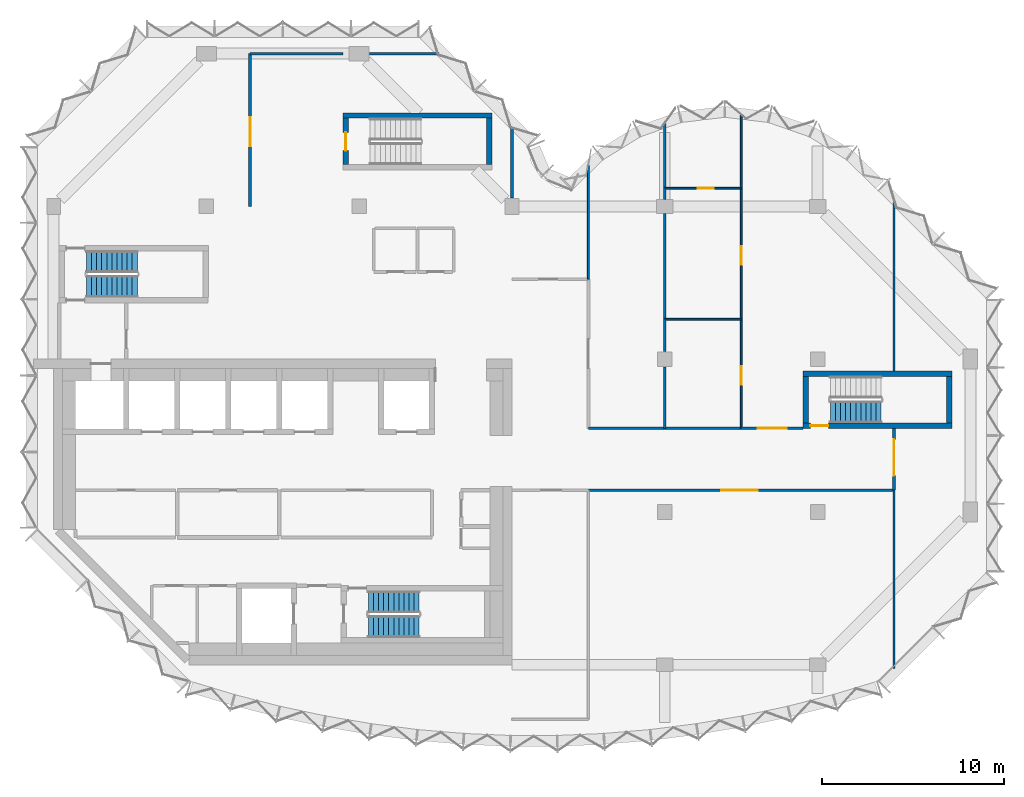
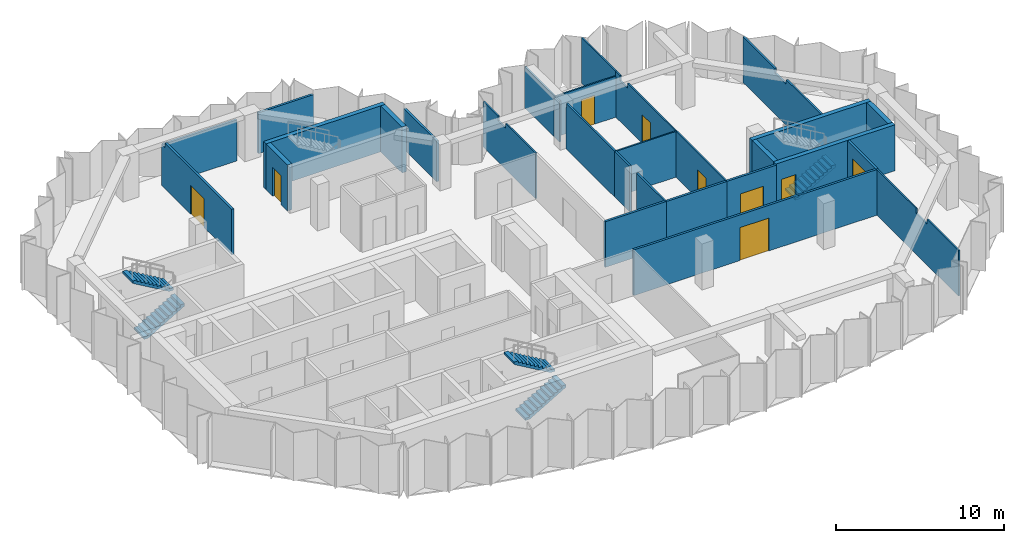
# One storey, part 6 of 9: 29 walls, 9 doors, 5 stair flights, 9 openings, 3 elements without a shape of their own.
"""IFC4 building model written with IfcOpenShell, lengths in metres."""

from ifc_helpers import new_model, si_unit, direction, frame, frame_2d, origin, place, context, subcontext, project, spatial, polyline, rectangle, outline, extrude, material, layer, layer_set, type_object, element, fill, aggregate, save


model = new_model("IFC4")

# Units and contexts
model_context = context("Model", 3, precision=1e-05, world=origin(), true_north=direction((0.0, 1.0)))
body_context = subcontext(model_context, "Body", "Model", "MODEL_VIEW")
ifc_project = project(units=[si_unit("LENGTHUNIT", "METRE"), si_unit("AREAUNIT", "SQUARE_METRE"), si_unit("VOLUMEUNIT", "CUBIC_METRE"), si_unit("PLANEANGLEUNIT", "RADIAN"), si_unit("MASSUNIT", "GRAM", prefix="KILO")], contexts=[model_context])

# Site, building, storey
site_placement = place(None, origin())
site = spatial("IfcSite", under=ifc_project, at=site_placement, CompositionType="ELEMENT")
building_placement = place(site_placement, origin())
building = spatial("IfcBuilding", under=site, at=building_placement, Name="Brevane Broadcast Tower", CompositionType="ELEMENT")
storey_placement = place(building_placement, frame((0.0, 0.0, 244.5)))
storey = spatial("IfcBuildingStorey", under=building, at=storey_placement, Name="L62", CompositionType="ELEMENT", Elevation=244.5)

# Wall
ifc_material_1 = material(Name="Concrete C50/60", Category="concrete")
ifc_layer_1 = layer(ifc_material_1, 0.300048828125)
ifc_layer_set_1 = layer_set([ifc_layer_1], Name="Core wall 300 mm C50/60")
wall_type_1 = type_object("IfcWallType", Name="Core wall 300 mm C50/60", PredefinedType="SHEAR", material=ifc_layer_set_1)
wall_1_placement = place(storey_placement, frame((15.89990234375, 30.199951171875, 0.0), z_axis=(0.0, 0.0, 1.0), x_axis=(1.0, 0.0, 0.0)))
element("IfcWall", 1, at=wall_1_placement, inside=storey, type_object=wall_type_1, Name="L62 stair wall ST-3-N", PredefinedType="SHEAR", context=body_context, shape_type="SweptSolid", body=[
    extrude(rectangle(XDim=8.2001953125, YDim=0.300048828125, at=frame_2d((4.10009765625, 0.0))), origin(), (0.0, 0.0, 1.0), 3.35009765625),
])

# Wall, opening, door
wall_2_placement = place(storey_placement, frame((16.050048828125, 27.5, 0.0), z_axis=(0.0, 0.0, 1.0), x_axis=(0.0, 1.0, 0.0)))
wall_2 = element("IfcWall", 2, at=wall_2_placement, inside=storey, type_object=wall_type_1, Name="L62 stair wall ST-3-W", PredefinedType="SHEAR", context=body_context, shape_type="SweptSolid", body=[
    extrude(rectangle(XDim=2.550048828125, YDim=0.300048828125, at=frame_2d((1.27490234375, 0.0))), origin(), (0.0, 0.0, 1.0), 3.35009765625),
])
opening_1_placement = place(wall_2_placement, frame((0.77490234375, 0.0, 0.0)))
opening_1 = element("IfcOpeningElement", 3, at=opening_1_placement, cuts=wall_2, Name="Opening L62-K12", PredefinedType="OPENING", context=body_context, shape_type="SweptSolid", body=[
    extrude(rectangle(XDim=1.0, YDim=2.10009765625, at=frame_2d((0.5, 1.050048828125))), frame((0.0, 0.159912109375, 0.0), z_axis=(0.0, -1.0, 0.0), x_axis=(1.0, 0.0, 0.0)), (0.0, 0.0, 1.0), 0.320068359375),
])
ifc_material_2 = material(Name="Steel", Category="steel")
door_type_1 = type_object("IfcDoorType", Name="Stair door 1000 x 2100", OperationType="SINGLE_SWING_LEFT", PredefinedType="DOOR", material=ifc_material_2)
door_1_placement = place(opening_1_placement, origin())
door_1 = element("IfcDoor", 4, at=door_1_placement, inside=storey, type_object=door_type_1, Name="Door L62-K12", OperationType="SINGLE_SWING_RIGHT", OverallHeight=2.10009765625, OverallWidth=1.0, PredefinedType="DOOR", context=body_context, shape_type="SweptSolid", body=[
    extrude(rectangle(XDim=1.0, YDim=2.10009765625, at=frame_2d((0.5, 1.050048828125))), frame((0.0, 0.02490234375, 0.0), z_axis=(0.0, -1.0, 0.0), x_axis=(1.0, 0.0, 0.0)), (0.0, 0.0, 1.0), 0.050048828125),
])
fill(opening_1, door_1)

# Wall
wall_3_placement = place(storey_placement, frame((23.949951171875, 27.5, 0.0), z_axis=(0.0, 0.0, 1.0), x_axis=(0.0, 1.0, 0.0)))
element("IfcWall", 5, at=wall_3_placement, inside=storey, type_object=wall_type_1, Name="L62 stair wall ST-3-E", PredefinedType="SHEAR", context=body_context, shape_type="SweptSolid", body=[
    extrude(rectangle(XDim=2.550048828125, YDim=0.300048828125, at=frame_2d((1.27490234375, 0.0))), origin(), (0.0, 0.0, 1.0), 3.35009765625),
])

# Wall, opening, door
wall_4_placement = place(storey_placement, frame((49.39990234375, 13.14990234375, 0.0), z_axis=(0.0, 0.0, 1.0), x_axis=(-1.0, 0.0, 0.0)))
wall_4 = element("IfcWall", 6, at=wall_4_placement, inside=storey, type_object=wall_type_1, Name="L62 stair wall ST-4-S", PredefinedType="SHEAR", context=body_context, shape_type="SweptSolid", body=[
    extrude(rectangle(XDim=8.199951171875, YDim=0.300048828125, at=frame_2d((4.10009765625, 0.0))), origin(), (0.0, 0.0, 1.0), 3.35009765625),
])
opening_2_placement = place(wall_4_placement, frame((6.800048828125, 0.0, 0.0)))
opening_2 = element("IfcOpeningElement", 7, at=opening_2_placement, cuts=wall_4, Name="Opening L62-K13", PredefinedType="OPENING", context=body_context, shape_type="SweptSolid", body=[
    extrude(rectangle(XDim=1.0, YDim=2.10009765625, at=frame_2d((0.5, 1.050048828125))), frame((0.0, 0.159912109375, 0.0), z_axis=(0.0, -1.0, 0.0), x_axis=(1.0, 0.0, 0.0)), (0.0, 0.0, 1.0), 0.320068359375),
])
door_2_placement = place(opening_2_placement, origin())
door_2 = element("IfcDoor", 8, at=door_2_placement, inside=storey, type_object=door_type_1, Name="Door L62-K13", OperationType="SINGLE_SWING_LEFT", OverallHeight=2.10009765625, OverallWidth=1.0, PredefinedType="DOOR", context=body_context, shape_type="SweptSolid", body=[
    extrude(rectangle(XDim=1.0, YDim=2.10009765625, at=frame_2d((0.5, 1.050048828125))), frame((0.0, 0.02490234375, 0.0), z_axis=(0.0, -1.0, 0.0), x_axis=(1.0, 0.0, 0.0)), (0.0, 0.0, 1.0), 0.050048828125),
])
fill(opening_2, door_2)

# Walls
wall_5_placement = place(storey_placement, frame((41.199951171875, 16.0, 0.0), z_axis=(0.0, 0.0, 1.0), x_axis=(1.0, 0.0, 0.0)))
element("IfcWall", 9, at=wall_5_placement, inside=storey, type_object=wall_type_1, Name="L62 stair wall ST-4-N", PredefinedType="SHEAR", context=body_context, shape_type="SweptSolid", body=[
    extrude(rectangle(XDim=8.199951171875, YDim=0.300048828125, at=frame_2d((4.10009765625, 0.0))), origin(), (0.0, 0.0, 1.0), 3.35009765625),
])
for number, where, z_axis, x_axis, name in (
    (10, (41.35009765625, 13.300048828125, 0.0), (0.0, 0.0, 1.0), (0.0, 1.0, 0.0), "L62 stair wall ST-4-W"),
    (11, (49.25, 13.300048828125, 0.0), (0.0, 0.0, 1.0), (0.0, 1.0, 0.0), "L62 stair wall ST-4-E"),
):
    element("IfcWall", number, at=place(storey_placement, frame(where, z_axis=z_axis, x_axis=x_axis)), inside=storey, type_object=wall_type_1, Name=name, PredefinedType="SHEAR", context=body_context, shape_type="SweptSolid", body=[
        extrude(rectangle(XDim=2.550048828125, YDim=0.300048828125, at=frame_2d((1.27490234375, 0.0))), origin(), (0.0, 0.0, 1.0), 3.35009765625),
    ])
ifc_material_3 = material(Name="Gypsum board partition")
ifc_layer_2 = layer(ifc_material_3, 0.10009765625)
ifc_layer_set_2 = layer_set([ifc_layer_2], Name="PARTITION 100 STUD")
wall_type_2 = type_object("IfcWallType", Name="PARTITION 100 STUD", PredefinedType="PARTITIONING", material=ifc_layer_set_2)
wall_6_placement = place(storey_placement, frame((29.39990234375, 27.428955078125, 0.0), z_axis=(0.0, 0.0, 1.0), x_axis=(0.0, -1.0, 0.0)))
element("IfcWall", 12, at=wall_6_placement, inside=storey, type_object=wall_type_2, Name="Partition G19-004", PredefinedType="PARTITIONING", context=body_context, shape_type="SweptSolid", body=[
    extrude(outline(polyline([(0.0, 0.0), (6.22900390625, 0.0), (6.22900390625, 3.330078125), (2.678955078125, 3.330078125), (2.677001953125, 2.97998046875), (1.781005859375, 2.97998046875), (1.779052734375, 3.330078125), (0.154052734375, 3.330078125), (0.0, 3.330078125), (0.0, 0.0)])), frame((0.0, 0.050048828125, 0.0), z_axis=(0.0, -1.0, 0.0), x_axis=(1.0, 0.0, 0.0)), (0.0, 0.0, 1.0), 0.10009765625),
])
wall_7_placement = place(storey_placement, frame((46.199951171875, -0.199951171875, 0.0), z_axis=(0.0, 0.0, 1.0), x_axis=(0.0, 1.0, 0.0)))
element("IfcWall", 13, at=wall_7_placement, inside=storey, type_object=wall_type_2, Name="Partition G19-011", PredefinedType="PARTITIONING", context=body_context, shape_type="SweptSolid", body=[
    extrude(outline(polyline([(0.0, 0.0), (9.800048828125, 0.0), (9.800048828125, 3.330078125), (5.065673828125, 3.330078125), (5.063720703125, 2.97998046875), (3.736328125, 2.97998046875), (3.734375, 3.330078125), (0.0, 3.330078125), (0.0, 0.0)])), frame((0.0, 0.050048828125, 0.0), z_axis=(0.0, -1.0, 0.0), x_axis=(1.0, 0.0, 0.0)), (0.0, 0.0, 1.0), 0.10009765625),
])

# Wall, opening, door
wall_8_placement = place(storey_placement, frame((37.800048828125, 13.0, 0.0), z_axis=(0.0, 0.0, 1.0), x_axis=(0.0, 1.0, 0.0)))
wall_8 = element("IfcWall", 14, at=wall_8_placement, inside=storey, type_object=wall_type_2, Name="Partition G19-020", PredefinedType="PARTITIONING", context=body_context, shape_type="SweptSolid", body=[
    extrude(rectangle(XDim=6.0, YDim=0.10009765625, at=frame_2d((3.0, 0.0))), origin(), (0.0, 0.0, 1.0), 3.330078125),
])
opening_3_placement = place(wall_8_placement, frame((2.39990234375, 0.0, 0.0)))
opening_3 = element("IfcOpeningElement", 15, at=opening_3_placement, cuts=wall_8, Name="Opening D30-007", PredefinedType="OPENING", context=body_context, shape_type="SweptSolid", body=[
    extrude(rectangle(XDim=1.0, YDim=2.10009765625, at=frame_2d((0.5, 1.050048828125))), frame((0.0, 0.06005859375, 0.0), z_axis=(0.0, -1.0, 0.0), x_axis=(1.0, 0.0, 0.0)), (0.0, 0.0, 1.0), 0.1201171875),
])
ifc_material_4 = material(Name="Timber door leaf", Category="wood")
door_type_2 = type_object("IfcDoorType", Name="DOOR SINGLE 1000 INTERNAL", OperationType="SINGLE_SWING_LEFT", PredefinedType="DOOR", material=ifc_material_4)
door_3_placement = place(opening_3_placement, origin())
door_3 = element("IfcDoor", 16, at=door_3_placement, inside=storey, type_object=door_type_2, Name="Door D30-007", OperationType="SINGLE_SWING_LEFT", OverallHeight=2.10009765625, OverallWidth=1.0, PredefinedType="DOOR", context=body_context, shape_type="SweptSolid", body=[
    extrude(rectangle(XDim=1.0, YDim=2.10009765625, at=frame_2d((0.5, 1.050048828125))), frame((0.0, 0.02490234375, 0.0), z_axis=(0.0, -1.0, 0.0), x_axis=(1.0, 0.0, 0.0)), (0.0, 0.0, 1.0), 0.050048828125),
])
fill(opening_3, door_3)

wall_9_placement = place(storey_placement, frame((37.800048828125, 19.0, 0.0), z_axis=(0.0, 0.0, 1.0), x_axis=(0.0, 1.0, 0.0)))
wall_9 = element("IfcWall", 17, at=wall_9_placement, inside=storey, type_object=wall_type_2, Name="Partition G19-021", PredefinedType="PARTITIONING", context=body_context, shape_type="SweptSolid", body=[
    extrude(outline(polyline([(0.0, 0.0), (7.199951171875, 0.0), (7.199951171875, 3.330078125), (6.64990234375, 3.330078125), (6.64794921875, 2.97998046875), (5.751953125, 2.97998046875), (5.75, 3.330078125), (0.0, 3.330078125), (0.0, 0.0)])), frame((0.0, 0.050048828125, 0.0), z_axis=(0.0, -1.0, 0.0), x_axis=(1.0, 0.0, 0.0)), (0.0, 0.0, 1.0), 0.10009765625),
])
opening_4_placement = place(wall_9_placement, frame((3.0, 0.0, 0.0)))
opening_4 = element("IfcOpeningElement", 18, at=opening_4_placement, cuts=wall_9, Name="Opening D30-008", PredefinedType="OPENING", context=body_context, shape_type="SweptSolid", body=[
    extrude(rectangle(XDim=1.0, YDim=2.10009765625, at=frame_2d((0.5, 1.050048828125))), frame((0.0, 0.06005859375, 0.0), z_axis=(0.0, -1.0, 0.0), x_axis=(1.0, 0.0, 0.0)), (0.0, 0.0, 1.0), 0.1201171875),
])
door_4_placement = place(opening_4_placement, origin())
door_4 = element("IfcDoor", 19, at=door_4_placement, inside=storey, type_object=door_type_2, Name="Door D30-008", OperationType="SINGLE_SWING_LEFT", OverallHeight=2.10009765625, OverallWidth=1.0, PredefinedType="DOOR", context=body_context, shape_type="SweptSolid", body=[
    extrude(rectangle(XDim=1.0, YDim=2.10009765625, at=frame_2d((0.5, 1.050048828125))), frame((0.0, 0.02490234375, 0.0), z_axis=(0.0, -1.0, 0.0), x_axis=(1.0, 0.0, 0.0)), (0.0, 0.0, 1.0), 0.050048828125),
])
fill(opening_4, door_4)

# Walls
wall_10_placement = place(storey_placement, frame((37.800048828125, 26.199951171875, 0.0), z_axis=(0.0, 0.0, 1.0), x_axis=(0.0, 1.0, 0.0)))
element("IfcWall", 20, at=wall_10_placement, inside=storey, type_object=wall_type_2, Name="Partition G19-022", PredefinedType="PARTITIONING", context=body_context, shape_type="SweptSolid", body=[
    extrude(rectangle(XDim=4.042724609375, YDim=0.10009765625, at=frame_2d((2.021484375, 0.0))), origin(), (0.0, 0.0, 1.0), 3.330078125),
])
wall_11_placement = place(storey_placement, frame((33.60009765625, 19.0, 0.0), z_axis=(0.0, 0.0, 1.0), x_axis=(1.0, 0.0, 0.0)))
element("IfcWall", 21, at=wall_11_placement, inside=storey, type_object=wall_type_2, Name="Partition G19-023", PredefinedType="PARTITIONING", context=body_context, shape_type="SweptSolid", body=[
    extrude(rectangle(XDim=4.199951171875, YDim=0.10009765625, at=frame_2d((2.10009765625, 0.0))), origin(), (0.0, 0.0, 1.0), 3.330078125),
])

# Wall, opening, door
wall_12_placement = place(storey_placement, frame((33.60009765625, 26.199951171875, 0.0), z_axis=(0.0, 0.0, 1.0), x_axis=(1.0, 0.0, 0.0)))
wall_12 = element("IfcWall", 22, at=wall_12_placement, inside=storey, type_object=wall_type_2, Name="Partition G19-024", PredefinedType="PARTITIONING", context=body_context, shape_type="SweptSolid", body=[
    extrude(rectangle(XDim=4.199951171875, YDim=0.10009765625, at=frame_2d((2.10009765625, 0.0))), origin(), (0.0, 0.0, 1.0), 2.97998046875),
])
opening_5_placement = place(wall_12_placement, frame((1.800048828125, 0.0, 0.0)))
opening_5 = element("IfcOpeningElement", 23, at=opening_5_placement, cuts=wall_12, Name="Opening D30-009", PredefinedType="OPENING", context=body_context, shape_type="SweptSolid", body=[
    extrude(rectangle(XDim=0.89990234375, YDim=2.10009765625, at=frame_2d((0.449951171875, 1.050048828125))), frame((0.0, 0.06005859375, 0.0), z_axis=(0.0, -1.0, 0.0), x_axis=(1.0, 0.0, 0.0)), (0.0, 0.0, 1.0), 0.1201171875),
])
door_type_3 = type_object("IfcDoorType", Name="DOOR SINGLE 900 INTERNAL", OperationType="SINGLE_SWING_LEFT", PredefinedType="DOOR", material=ifc_material_4)
door_5_placement = place(opening_5_placement, origin())
door_5 = element("IfcDoor", 24, at=door_5_placement, inside=storey, type_object=door_type_3, Name="Door D30-009", OperationType="SINGLE_SWING_LEFT", OverallHeight=2.10009765625, OverallWidth=0.89990234375, PredefinedType="DOOR", context=body_context, shape_type="SweptSolid", body=[
    extrude(rectangle(XDim=0.89990234375, YDim=2.10009765625, at=frame_2d((0.449951171875, 1.050048828125))), frame((0.0, 0.02490234375, 0.0), z_axis=(0.0, -1.0, 0.0), x_axis=(1.0, 0.0, 0.0)), (0.0, 0.0, 1.0), 0.050048828125),
])
fill(opening_5, door_5)

# Walls
ifc_layer_3 = layer(ifc_material_3, 0.125)
ifc_layer_set_3 = layer_set([ifc_layer_3], Name="PARTITION 125 ACOUSTIC")
wall_type_3 = type_object("IfcWallType", Name="PARTITION 125 ACOUSTIC", PredefinedType="PARTITIONING", material=ifc_layer_set_3)
wall_13_placement = place(storey_placement, frame((46.199951171875, 16.14990234375, 0.0), z_axis=(0.0, 0.0, 1.0), x_axis=(0.0, 1.0, 0.0)))
element("IfcWall", 25, at=wall_13_placement, inside=storey, type_object=wall_type_3, Name="Partition G19-012", PredefinedType="PARTITIONING", context=body_context, shape_type="SweptSolid", body=[
    extrude(outline(polyline([(0.0, 0.0), (9.3525390625, 0.0), (9.3525390625, 3.330078125), (9.25, 3.330078125), (5.528076171875, 3.330078125), (5.526123046875, 2.97998046875), (4.173828125, 2.97998046875), (4.171875, 3.330078125), (0.0, 3.330078125), (0.0, 0.0)])), frame((0.0, 0.0625, 0.0), z_axis=(0.0, -1.0, 0.0), x_axis=(1.0, 0.0, 0.0)), (0.0, 0.0, 1.0), 0.125),
])
wall_14_placement = place(storey_placement, frame((33.60009765625, 19.0, 0.0), z_axis=(0.0, 0.0, 1.0), x_axis=(0.0, -1.0, 0.0)))
element("IfcWall", 26, at=wall_14_placement, inside=storey, type_object=wall_type_3, Name="Partition G19-015", PredefinedType="PARTITIONING", context=body_context, shape_type="SweptSolid", body=[
    extrude(rectangle(XDim=1.780029296875, YDim=0.125, at=frame_2d((0.89013671875, 0.0))), origin(), (0.0, 0.0, 1.0), 3.330078125),
])
wall_15_placement = place(storey_placement, frame((33.60009765625, 16.3798828125, 0.0), z_axis=(0.0, 0.0, 1.0), x_axis=(0.0, -1.0, 0.0)))
element("IfcWall", 27, at=wall_15_placement, inside=storey, type_object=wall_type_3, Name="Partition G19-016", PredefinedType="PARTITIONING", context=body_context, shape_type="SweptSolid", body=[
    extrude(rectangle(XDim=3.3798828125, YDim=0.125, at=frame_2d((1.68994140625, 0.0))), origin(), (0.0, 0.0, 1.0), 3.330078125),
])
wall_16_placement = place(storey_placement, frame((33.60009765625, 26.199951171875, 0.0), z_axis=(0.0, 0.0, 1.0), x_axis=(0.0, -1.0, 0.0)))
element("IfcWall", 28, at=wall_16_placement, inside=storey, type_object=wall_type_3, Name="Partition G19-017", PredefinedType="PARTITIONING", context=body_context, shape_type="SweptSolid", body=[
    extrude(rectangle(XDim=0.60498046875, YDim=0.125, at=frame_2d((0.302490234375, 0.0))), origin(), (0.0, 0.0, 1.0), 2.97998046875),
])
wall_17_placement = place(storey_placement, frame((33.60009765625, 24.804931640625, 0.0), z_axis=(0.0, 0.0, 1.0), x_axis=(0.0, -1.0, 0.0)))
element("IfcWall", 29, at=wall_17_placement, inside=storey, type_object=wall_type_3, Name="Partition G19-018", PredefinedType="PARTITIONING", context=body_context, shape_type="SweptSolid", body=[
    extrude(outline(polyline([(0.0, 0.0), (5.804931640625, 0.0), (5.804931640625, 3.330078125), (0.054931640625, 3.330078125), (0.052978515625, 2.97998046875), (0.0, 2.97998046875), (0.0, 0.0)])), frame((0.0, 0.0625, 0.0), z_axis=(0.0, -1.0, 0.0), x_axis=(1.0, 0.0, 0.0)), (0.0, 0.0, 1.0), 0.125),
])
wall_18_placement = place(storey_placement, frame((33.60009765625, 29.761962890625, 0.0), z_axis=(0.0, 0.0, 1.0), x_axis=(0.0, -1.0, 0.0)))
element("IfcWall", 30, at=wall_18_placement, inside=storey, type_object=wall_type_3, Name="Partition G19-019", PredefinedType="PARTITIONING", context=body_context, shape_type="SweptSolid", body=[
    extrude(rectangle(XDim=3.56201171875, YDim=0.125, at=frame_2d((1.781005859375, 0.0))), origin(), (0.0, 0.0, 1.0), 2.97998046875),
])
ifc_layer_4 = layer(ifc_material_3, 0.14990234375)
ifc_layer_set_4 = layer_set([ifc_layer_4], Name="PARTITION 150 EI 60")
wall_type_4 = type_object("IfcWallType", Name="PARTITION 150 EI 60", PredefinedType="PARTITIONING", material=ifc_layer_set_4)
wall_19_placement = place(storey_placement, frame((25.199951171875, 25.669921875, 0.0), z_axis=(0.0, 0.0, 1.0), x_axis=(0.0, 1.0, 0.0)))
element("IfcWall", 31, at=wall_19_placement, inside=storey, type_object=wall_type_4, Name="Partition G19-005", PredefinedType="PARTITIONING", context=body_context, shape_type="SweptSolid", body=[
    extrude(rectangle(XDim=3.93017578125, YDim=0.14990234375, at=frame_2d((1.965087890625, 0.0))), origin(), (0.0, 0.0, 1.0), 2.97998046875),
])

# Wall, opening, door
wall_20_placement = place(storey_placement, frame((46.199951171875, 13.0, 0.0), z_axis=(0.0, 0.0, 1.0), x_axis=(0.0, -1.0, 0.0)))
wall_20 = element("IfcWall", 32, at=wall_20_placement, inside=storey, type_object=wall_type_4, Name="Partition G19-006", PredefinedType="PARTITIONING", context=body_context, shape_type="SweptSolid", body=[
    extrude(rectangle(XDim=3.39990234375, YDim=0.14990234375, at=frame_2d((1.699951171875, 0.0))), origin(), (0.0, 0.0, 1.0), 3.330078125),
])
opening_6_placement = place(wall_20_placement, frame((0.60009765625, 0.0, 0.0)))
opening_6 = element("IfcOpeningElement", 33, at=opening_6_placement, cuts=wall_20, Name="Opening D30-002", PredefinedType="OPENING", context=body_context, shape_type="SweptSolid", body=[
    extrude(rectangle(XDim=2.0, YDim=2.39990234375, at=frame_2d((1.0, 1.199951171875))), frame((0.0, 0.0849609375, 0.0), z_axis=(0.0, -1.0, 0.0), x_axis=(1.0, 0.0, 0.0)), (0.0, 0.0, 1.0), 0.169921875),
])
ifc_material_5 = material(Name="Fire-rated timber door leaf", Category="wood")
door_type_4 = type_object("IfcDoorType", Name="DOOR DOUBLE 2000 FD30S", OperationType="DOUBLE_DOOR_SINGLE_SWING", PredefinedType="DOOR", material=ifc_material_5)
door_6_placement = place(opening_6_placement, origin())
door_6 = element("IfcDoor", 34, at=door_6_placement, inside=storey, type_object=door_type_4, Name="Door D30-002", OperationType="DOUBLE_DOOR_SINGLE_SWING", OverallHeight=2.39990234375, OverallWidth=2.0, PredefinedType="DOOR", context=body_context, shape_type="SweptSolid", body=[
    extrude(rectangle(XDim=2.0, YDim=2.39990234375, at=frame_2d((1.0, 1.199951171875))), frame((0.0, 0.02490234375, 0.0), z_axis=(0.0, -1.0, 0.0), x_axis=(1.0, 0.0, 0.0)), (0.0, 0.0, 1.0), 0.050048828125),
])
fill(opening_6, door_6)

wall_21_placement = place(storey_placement, frame((46.199951171875, 9.60009765625, 0.0), z_axis=(0.0, 0.0, 1.0), x_axis=(-1.0, 0.0, 0.0)))
wall_21 = element("IfcWall", 35, at=wall_21_placement, inside=storey, type_object=wall_type_4, Name="Partition G19-007", PredefinedType="PARTITIONING", context=body_context, shape_type="SweptSolid", body=[
    extrude(rectangle(XDim=16.800048828125, YDim=0.14990234375, at=frame_2d((8.39990234375, 0.0))), origin(), (0.0, 0.0, 1.0), 3.330078125),
])
opening_7_placement = place(wall_21_placement, frame((7.5, 0.0, 0.0)))
opening_7 = element("IfcOpeningElement", 36, at=opening_7_placement, cuts=wall_21, Name="Opening D30-004", PredefinedType="OPENING", context=body_context, shape_type="SweptSolid", body=[
    extrude(rectangle(XDim=2.0, YDim=2.39990234375, at=frame_2d((1.0, 1.199951171875))), frame((0.0, 0.0849609375, 0.0), z_axis=(0.0, -1.0, 0.0), x_axis=(1.0, 0.0, 0.0)), (0.0, 0.0, 1.0), 0.169921875),
])
door_7_placement = place(opening_7_placement, origin())
door_7 = element("IfcDoor", 37, at=door_7_placement, inside=storey, type_object=door_type_4, Name="Door D30-004", OperationType="DOUBLE_DOOR_SINGLE_SWING", OverallHeight=2.39990234375, OverallWidth=2.0, PredefinedType="DOOR", context=body_context, shape_type="SweptSolid", body=[
    extrude(rectangle(XDim=2.0, YDim=2.39990234375, at=frame_2d((1.0, 1.199951171875))), frame((0.0, 0.02490234375, 0.0), z_axis=(0.0, -1.0, 0.0), x_axis=(1.0, 0.0, 0.0)), (0.0, 0.0, 1.0), 0.050048828125),
])
fill(opening_7, door_7)

# Wall
wall_22_placement = place(storey_placement, frame((29.39990234375, 13.0, 0.0), z_axis=(0.0, 0.0, 1.0), x_axis=(1.0, 0.0, 0.0)))
element("IfcWall", 38, at=wall_22_placement, inside=storey, type_object=wall_type_4, Name="Partition G19-008", PredefinedType="PARTITIONING", context=body_context, shape_type="SweptSolid", body=[
    extrude(rectangle(XDim=4.2001953125, YDim=0.14990234375, at=frame_2d((2.10009765625, 0.0))), origin(), (0.0, 0.0, 1.0), 3.330078125),
])

# Wall, opening, door
wall_23_placement = place(storey_placement, frame((37.800048828125, 13.0, 0.0), z_axis=(0.0, 0.0, 1.0), x_axis=(1.0, 0.0, 0.0)))
wall_23 = element("IfcWall", 39, at=wall_23_placement, inside=storey, type_object=wall_type_4, Name="Partition G19-009", PredefinedType="PARTITIONING", context=body_context, shape_type="SweptSolid", body=[
    extrude(rectangle(XDim=3.39990234375, YDim=0.14990234375, at=frame_2d((1.699951171875, 0.0))), origin(), (0.0, 0.0, 1.0), 3.330078125),
])
opening_8_placement = place(wall_23_placement, frame((0.89990234375, 0.0, 0.0)))
opening_8 = element("IfcOpeningElement", 40, at=opening_8_placement, cuts=wall_23, Name="Opening D30-006", PredefinedType="OPENING", context=body_context, shape_type="SweptSolid", body=[
    extrude(rectangle(XDim=1.60009765625, YDim=2.10009765625, at=frame_2d((0.800048828125, 1.050048828125))), frame((0.0, 0.0849609375, 0.0), z_axis=(0.0, -1.0, 0.0), x_axis=(1.0, 0.0, 0.0)), (0.0, 0.0, 1.0), 0.169921875),
])
door_type_5 = type_object("IfcDoorType", Name="DOOR DOUBLE 1600 FD30S", OperationType="DOUBLE_DOOR_SINGLE_SWING", PredefinedType="DOOR", material=ifc_material_5)
door_8_placement = place(opening_8_placement, origin())
door_8 = element("IfcDoor", 41, at=door_8_placement, inside=storey, type_object=door_type_5, Name="Door D30-006", OperationType="DOUBLE_DOOR_SINGLE_SWING", OverallHeight=2.10009765625, OverallWidth=1.60009765625, PredefinedType="DOOR", context=body_context, shape_type="SweptSolid", body=[
    extrude(rectangle(XDim=1.60009765625, YDim=2.10009765625, at=frame_2d((0.800048828125, 1.050048828125))), frame((0.0, 0.02490234375, 0.0), z_axis=(0.0, -1.0, 0.0), x_axis=(1.0, 0.0, 0.0)), (0.0, 0.0, 1.0), 0.050048828125),
])
fill(opening_8, door_8)

# Wall
wall_24_placement = place(storey_placement, frame((33.60009765625, 13.0, 0.0), z_axis=(0.0, 0.0, 1.0), x_axis=(1.0, 0.0, 0.0)))
element("IfcWall", 42, at=wall_24_placement, inside=storey, type_object=wall_type_4, Name="Partition G19-010", PredefinedType="PARTITIONING", context=body_context, shape_type="SweptSolid", body=[
    extrude(rectangle(XDim=4.199951171875, YDim=0.14990234375, at=frame_2d((2.10009765625, 0.0))), origin(), (0.0, 0.0, 1.0), 3.330078125),
])

# Wall, opening, door
wall_25_placement = place(storey_placement, frame((10.800048828125, 25.199951171875, 0.0), z_axis=(0.0, 0.0, 1.0), x_axis=(0.0, 1.0, 0.0)))
wall_25 = element("IfcWall", 43, at=wall_25_placement, inside=storey, type_object=wall_type_4, Name="Partition G19-025", PredefinedType="PARTITIONING", context=body_context, shape_type="SweptSolid", body=[
    extrude(outline(polyline([(0.0, 0.0), (8.400146484375, 0.0), (8.39990234375, 2.97998046875), (7.951904296875, 2.97998046875), (7.949951171875, 3.330078125), (0.0, 3.330078125), (0.0, 0.0)])), frame((0.0, 0.074951171875, 0.0), z_axis=(0.0, -1.0, 0.0), x_axis=(1.0, 0.0, 0.0)), (0.0, 0.0, 1.0), 0.14990234375),
])
opening_9_placement = place(wall_25_placement, frame((3.300048828125, 0.0, 0.0)))
opening_9 = element("IfcOpeningElement", 44, at=opening_9_placement, cuts=wall_25, Name="Opening D30-010", PredefinedType="OPENING", context=body_context, shape_type="SweptSolid", body=[
    extrude(rectangle(XDim=1.60009765625, YDim=2.10009765625, at=frame_2d((0.800048828125, 1.050048828125))), frame((0.0, 0.0849609375, 0.0), z_axis=(0.0, -1.0, 0.0), x_axis=(1.0, 0.0, 0.0)), (0.0, 0.0, 1.0), 0.169921875),
])
door_9_placement = place(opening_9_placement, origin())
door_9 = element("IfcDoor", 45, at=door_9_placement, inside=storey, type_object=door_type_5, Name="Door D30-010", OperationType="DOUBLE_DOOR_SINGLE_SWING", OverallHeight=2.10009765625, OverallWidth=1.60009765625, PredefinedType="DOOR", context=body_context, shape_type="SweptSolid", body=[
    extrude(rectangle(XDim=1.60009765625, YDim=2.10009765625, at=frame_2d((0.800048828125, 1.050048828125))), frame((0.0, 0.02490234375, 0.0), z_axis=(0.0, -1.0, 0.0), x_axis=(1.0, 0.0, 0.0)), (0.0, 0.0, 1.0), 0.050048828125),
])
fill(opening_9, door_9)

# Walls
wall_26_placement = place(storey_placement, frame((10.800048828125, 33.60009765625, 0.0), z_axis=(0.0, 0.0, 1.0), x_axis=(1.0, 0.0, 0.0)))
element("IfcWall", 46, at=wall_26_placement, inside=storey, type_object=wall_type_4, Name="Partition G19-026", PredefinedType="PARTITIONING", context=body_context, shape_type="SweptSolid", body=[
    extrude(outline(polyline([(0.0, 0.0), (5.099853515625, 0.0), (5.10009765625, 2.97998046875), (0.0, 2.97998046875), (0.0, 0.0)])), frame((0.0, 0.074951171875, 0.0), z_axis=(0.0, -1.0, 0.0), x_axis=(1.0, 0.0, 0.0)), (0.0, 0.0, 1.0), 0.14990234375),
])
wall_27_placement = place(storey_placement, frame((17.3701171875, 33.60009765625, 0.0), z_axis=(0.0, 0.0, 1.0), x_axis=(1.0, 0.0, 0.0)))
element("IfcWall", 47, at=wall_27_placement, inside=storey, type_object=wall_type_4, Name="Partition G19-027", PredefinedType="PARTITIONING", context=body_context, shape_type="SweptSolid", body=[
    extrude(rectangle(XDim=3.829833984375, YDim=0.14990234375, at=frame_2d((1.9150390625, 0.0))), origin(), (0.0, 0.0, 1.0), 2.97998046875),
])

# Stair, stair flights
stair_type = type_object("IfcStairType", Name="Exit stair 22 risers", PredefinedType="HALF_TURN_STAIR", material=ifc_material_1)
stair_1_placement = place(storey_placement, origin())
stair_1 = element("IfcStair", 48, at=stair_1_placement, inside=storey, type_object=stair_type, Name="L62 Exit stair ST-1", PredefinedType="HALF_TURN_STAIR")
stair_flight_type = type_object("IfcStairFlightType", Name="Exit stair flight 22 risers", PredefinedType="STRAIGHT", material=ifc_material_1)
stair_flight_1_placement = place(storey_placement, frame((1.800048828125, 20.800048828125, 0.0), z_axis=(0.0, 0.0, 1.0), x_axis=(1.0, 0.0, 0.0)))
stair_flight_1 = element("IfcStairFlight", 49, at=stair_flight_1_placement, type_object=stair_flight_type, Name="ST-1 flight 1", NumberOfRisers=11, NumberOfTreads=10, PredefinedType="STRAIGHT", RiserHeight=0.163636364, TreadLength=0.28, context=body_context, shape_type="SweptSolid", body=[
    extrude(outline(polyline([(0.0, 0.0), (0.0, 0.16357421875), (0.280029296875, 0.16357421875), (0.280029296875, 0.327392578125), (0.56005859375, 0.327392578125), (0.56005859375, 0.490966796875), (0.840087890625, 0.490966796875), (0.840087890625, 0.654541015625), (1.1201171875, 0.654541015625), (1.1201171875, 0.818115234375), (1.39990234375, 0.818115234375), (1.39990234375, 0.98193359375), (1.679931640625, 0.98193359375), (1.679931640625, 1.1455078125), (1.9599609375, 1.1455078125), (1.9599609375, 1.30908203125), (2.239990234375, 1.30908203125), (2.239990234375, 1.47265625), (2.52001953125, 1.47265625), (2.52001953125, 1.636474609375), (2.800048828125, 1.636474609375), (2.800048828125, 1.800048828125), (2.800048828125, 1.462646484375), (0.297119140625, 0.0), (0.0, 0.0)])), frame((0.0, 0.60009765625, 0.0), z_axis=(0.0, -1.0, 0.0), x_axis=(1.0, 0.0, 0.0)), (0.0, 0.0, 1.0), 1.199951171875),
])
stair_flight_2_placement = place(storey_placement, frame((4.60009765625, 22.14990234375, 1.800048828125), z_axis=(0.0, 0.0, 1.0), x_axis=(-1.0, 0.0, 0.0)))
stair_flight_2 = element("IfcStairFlight", 50, at=stair_flight_2_placement, type_object=stair_flight_type, Name="ST-1 flight 2", NumberOfRisers=11, NumberOfTreads=10, PredefinedType="STRAIGHT", RiserHeight=0.163636364, TreadLength=0.28, context=body_context, shape_type="SweptSolid", body=[
    extrude(outline(polyline([(0.0, 0.0), (0.0, 0.16357421875), (0.280029296875, 0.16357421875), (0.280029296875, 0.327392578125), (0.56005859375, 0.327392578125), (0.56005859375, 0.490966796875), (0.840087890625, 0.490966796875), (0.840087890625, 0.654541015625), (1.1201171875, 0.654541015625), (1.1201171875, 0.818115234375), (1.39990234375, 0.818115234375), (1.39990234375, 0.98193359375), (1.679931640625, 0.98193359375), (1.679931640625, 1.1455078125), (1.9599609375, 1.1455078125), (1.9599609375, 1.30908203125), (2.239990234375, 1.30908203125), (2.239990234375, 1.47265625), (2.52001953125, 1.47265625), (2.52001953125, 1.636474609375), (2.800048828125, 1.636474609375), (2.800048828125, 1.800048828125), (2.800048828125, 1.462646484375), (0.297119140625, 0.0), (0.0, 0.0)])), frame((0.0, 0.60009765625, 0.0), z_axis=(0.0, -1.0, 0.0), x_axis=(1.0, 0.0, 0.0)), (0.0, 0.0, 1.0), 1.199951171875),
])
aggregate(stair_1, [stair_flight_1, stair_flight_2])

stair_2_placement = place(storey_placement, origin())
stair_2 = element("IfcStair", 51, at=stair_2_placement, inside=storey, type_object=stair_type, Name="L62 Exit stair ST-2", PredefinedType="HALF_TURN_STAIR")
stair_flight_3_placement = place(storey_placement, frame((17.300048828125, 2.10009765625, 0.0), z_axis=(0.0, 0.0, 1.0), x_axis=(1.0, 0.0, 0.0)))
stair_flight_3 = element("IfcStairFlight", 52, at=stair_flight_3_placement, type_object=stair_flight_type, Name="ST-2 flight 1", NumberOfRisers=11, NumberOfTreads=10, PredefinedType="STRAIGHT", RiserHeight=0.163636364, TreadLength=0.28, context=body_context, shape_type="SweptSolid", body=[
    extrude(outline(polyline([(0.0, 0.0), (0.0, 0.16357421875), (0.280029296875, 0.16357421875), (0.280029296875, 0.327392578125), (0.56005859375, 0.327392578125), (0.56005859375, 0.490966796875), (0.840087890625, 0.490966796875), (0.840087890625, 0.654541015625), (1.1201171875, 0.654541015625), (1.1201171875, 0.818115234375), (1.39990234375, 0.818115234375), (1.39990234375, 0.98193359375), (1.679931640625, 0.98193359375), (1.679931640625, 1.1455078125), (1.9599609375, 1.1455078125), (1.9599609375, 1.30908203125), (2.239990234375, 1.30908203125), (2.239990234375, 1.47265625), (2.52001953125, 1.47265625), (2.52001953125, 1.636474609375), (2.800048828125, 1.636474609375), (2.800048828125, 1.800048828125), (2.800048828125, 1.462646484375), (0.297119140625, 0.0), (0.0, 0.0)])), frame((0.0, 0.60009765625, 0.0), z_axis=(0.0, -1.0, 0.0), x_axis=(1.0, 0.0, 0.0)), (0.0, 0.0, 1.0), 1.199951171875),
])
stair_flight_4_placement = place(storey_placement, frame((20.10009765625, 3.449951171875, 1.800048828125), z_axis=(0.0, 0.0, 1.0), x_axis=(-1.0, 0.0, 0.0)))
stair_flight_4 = element("IfcStairFlight", 53, at=stair_flight_4_placement, type_object=stair_flight_type, Name="ST-2 flight 2", NumberOfRisers=11, NumberOfTreads=10, PredefinedType="STRAIGHT", RiserHeight=0.163636364, TreadLength=0.28, context=body_context, shape_type="SweptSolid", body=[
    extrude(outline(polyline([(0.0, 0.0), (0.0, 0.16357421875), (0.280029296875, 0.16357421875), (0.280029296875, 0.327392578125), (0.56005859375, 0.327392578125), (0.56005859375, 0.490966796875), (0.840087890625, 0.490966796875), (0.840087890625, 0.654541015625), (1.1201171875, 0.654541015625), (1.1201171875, 0.818115234375), (1.39990234375, 0.818115234375), (1.39990234375, 0.98193359375), (1.679931640625, 0.98193359375), (1.679931640625, 1.1455078125), (1.9599609375, 1.1455078125), (1.9599609375, 1.30908203125), (2.239990234375, 1.30908203125), (2.239990234375, 1.47265625), (2.52001953125, 1.47265625), (2.52001953125, 1.636474609375), (2.800048828125, 1.636474609375), (2.800048828125, 1.800048828125), (2.800048828125, 1.462646484375), (0.297119140625, 0.0), (0.0, 0.0)])), frame((0.0, 0.60009765625, 0.0), z_axis=(0.0, -1.0, 0.0), x_axis=(1.0, 0.0, 0.0)), (0.0, 0.0, 1.0), 1.199951171875),
])
aggregate(stair_2, [stair_flight_3, stair_flight_4])

# Stair, stair flight
stair_3_placement = place(storey_placement, origin())
stair_3 = element("IfcStair", 54, at=stair_3_placement, inside=storey, type_object=stair_type, Name="L62 Exit stair ST-4", PredefinedType="HALF_TURN_STAIR")
stair_flight_5_placement = place(storey_placement, frame((42.699951171875, 13.89990234375, 0.0), z_axis=(0.0, 0.0, 1.0), x_axis=(1.0, 0.0, 0.0)))
stair_flight_5 = element("IfcStairFlight", 55, at=stair_flight_5_placement, type_object=stair_flight_type, Name="ST-4 flight 1", NumberOfRisers=11, NumberOfTreads=10, PredefinedType="STRAIGHT", RiserHeight=0.163636364, TreadLength=0.28, context=body_context, shape_type="SweptSolid", body=[
    extrude(outline(polyline([(0.0, 0.0), (0.0, 0.16357421875), (0.280029296875, 0.16357421875), (0.280029296875, 0.327392578125), (0.56005859375, 0.327392578125), (0.56005859375, 0.490966796875), (0.840087890625, 0.490966796875), (0.840087890625, 0.654541015625), (1.1201171875, 0.654541015625), (1.1201171875, 0.818115234375), (1.39990234375, 0.818115234375), (1.39990234375, 0.98193359375), (1.679931640625, 0.98193359375), (1.679931640625, 1.1455078125), (1.9599609375, 1.1455078125), (1.9599609375, 1.30908203125), (2.239990234375, 1.30908203125), (2.239990234375, 1.47265625), (2.52001953125, 1.47265625), (2.52001953125, 1.636474609375), (2.800048828125, 1.636474609375), (2.800048828125, 1.800048828125), (2.800048828125, 1.462646484375), (0.297119140625, 0.0), (0.0, 0.0)])), frame((0.0, 0.60009765625, 0.0), z_axis=(0.0, -1.0, 0.0), x_axis=(1.0, 0.0, 0.0)), (0.0, 0.0, 1.0), 1.199951171875),
])
aggregate(stair_3, [stair_flight_5])

save(model, "model.ifc")
